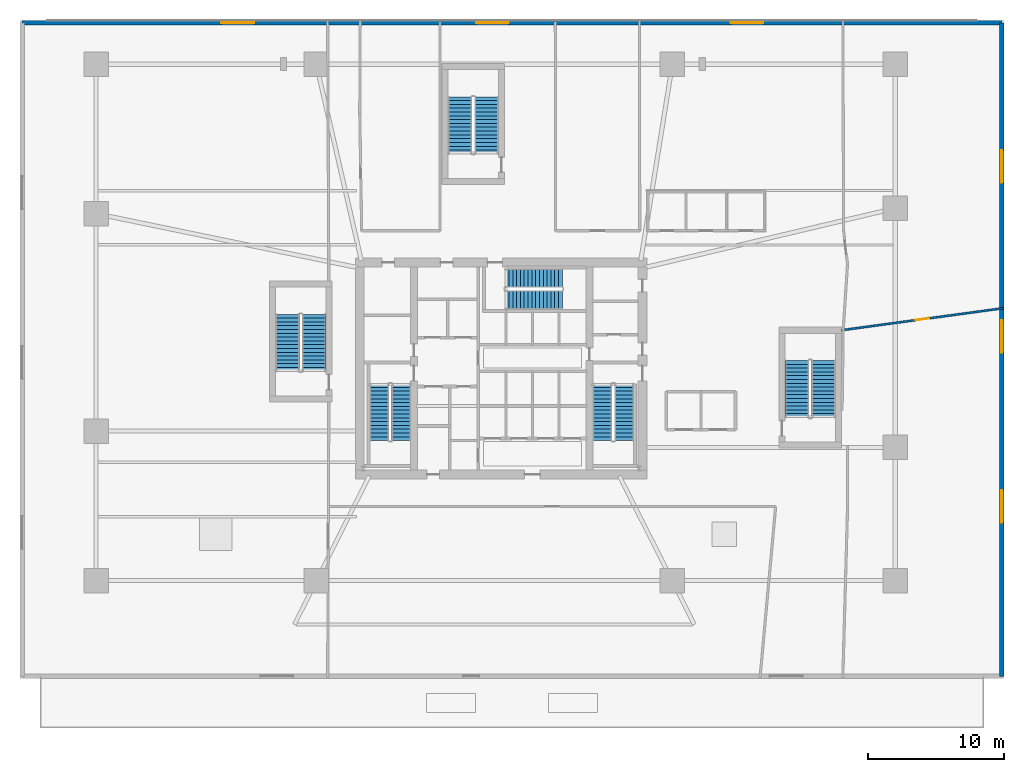
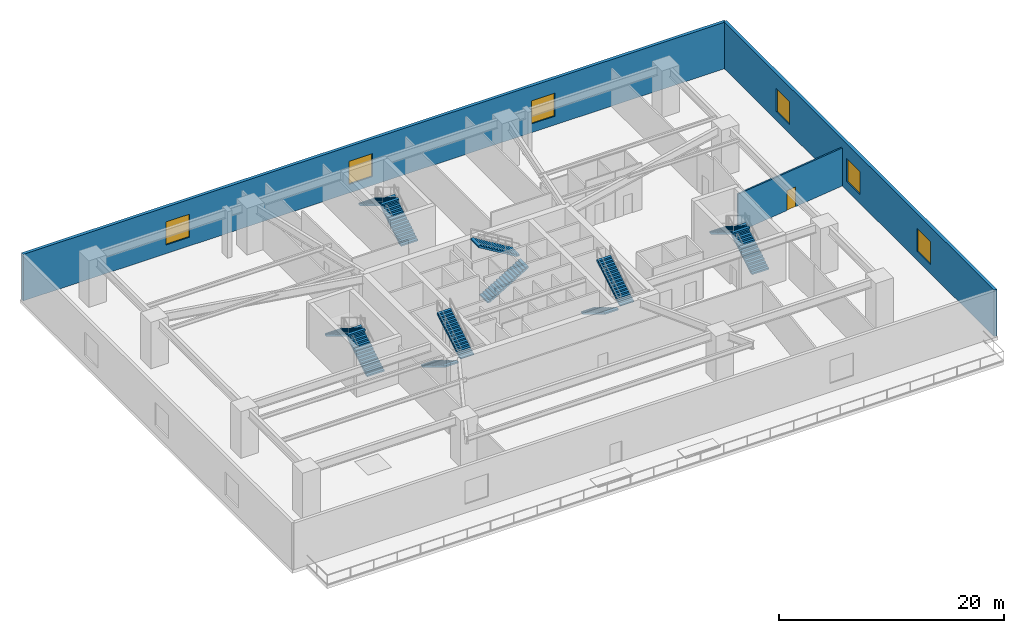
# One storey, part 7 of 11: 12 stair flights, 6 windows, 3 walls, 1 door, 7 openings, 6 elements without a shape of their own.
"""IFC4 building model written with IfcOpenShell, lengths in metres."""

from ifc_helpers import new_model, si_unit, direction, frame, frame_2d, origin, place, context, subcontext, project, spatial, polyline, rectangle, outline, extrude, material, layer, layer_set, type_object, element, fill, aggregate, save


model = new_model("IFC4")

# Units and contexts
model_context = context("Model", 3, precision=1e-05, world=origin(), true_north=direction((0.0, 1.0)))
body_context = subcontext(model_context, "Body", "Model", "MODEL_VIEW")
ifc_project = project(units=[si_unit("LENGTHUNIT", "METRE"), si_unit("AREAUNIT", "SQUARE_METRE"), si_unit("VOLUMEUNIT", "CUBIC_METRE"), si_unit("PLANEANGLEUNIT", "RADIAN"), si_unit("MASSUNIT", "GRAM", prefix="KILO")], contexts=[model_context])

# Site, building, storey
site_placement = place(None, origin())
site = spatial("IfcSite", under=ifc_project, at=site_placement, CompositionType="ELEMENT")
building_placement = place(site_placement, origin())
building = spatial("IfcBuilding", under=site, at=building_placement, Name="Qarnah Convention Tower", CompositionType="ELEMENT")
storey_placement = place(building_placement, frame((0.0, 0.0, 5.39990234375)))
storey = spatial("IfcBuildingStorey", under=building, at=storey_placement, Name="L01", CompositionType="ELEMENT", Elevation=5.39990234375)

# Wall, opening, door
ifc_material_1 = material(Name="Gypsum partition board")
ifc_layer_1 = layer(ifc_material_1, 0.159912109375)
ifc_layer_set_1 = layer_set([ifc_layer_1], Name="Gypsum partition board")
wall_type_1 = type_object("IfcWallType", Name="WL-CORR-160", PredefinedType="PARTITIONING", material=ifc_layer_set_1)
wall_1_placement = place(storey_placement, frame((74.12109375, 30.840087890625, 0.0), z_axis=(0.0, 0.0, 1.0), x_axis=(-0.990872529163, -0.13480219193, 0.0)))
wall_1 = element("IfcWall", 1, at=wall_1_placement, inside=storey, type_object=wall_type_1, Name="L01 interior wall IW-L01-R-15", PredefinedType="PARTITIONING", context=body_context, shape_type="SweptSolid", body=[
    extrude(rectangle(XDim=11.98046875, YDim=0.159912109375, at=frame_2d((5.990234375, 0.0))), origin(), (0.0, 0.0, 1.0), 4.123046875),
])
opening_1_placement = place(wall_1_placement, frame((5.489990234375, 0.0, 0.0)))
opening_1 = element("IfcOpeningElement", 2, at=opening_1_placement, cuts=wall_1, Name="Opening D-0124", PredefinedType="OPENING", context=body_context, shape_type="SweptSolid", body=[
    extrude(rectangle(XDim=1.0, YDim=2.14990234375, at=frame_2d((0.5, 1.074951171875))), frame((0.0, 0.08984375, 0.0), z_axis=(0.0, -1.0, 0.0), x_axis=(1.0, 0.0, 0.0)), (0.0, 0.0, 1.0), 0.179931640625),
])
ifc_material_2 = material(Name="Oak timber veneer", Category="wood")
door_type = type_object("IfcDoorType", Name="DT-OFFICE-1000", OperationType="NOTDEFINED", PredefinedType="DOOR", material=ifc_material_2)
door_placement = place(opening_1_placement, origin())
door = element("IfcDoor", 3, at=door_placement, inside=storey, type_object=door_type, Name="Door D-0124", OperationType="SINGLE_SWING_RIGHT", OverallHeight=2.14990234375, OverallWidth=1.0, PredefinedType="DOOR", context=body_context, shape_type="SweptSolid", body=[
    extrude(rectangle(XDim=1.0, YDim=2.14990234375, at=frame_2d((0.5, 1.074951171875))), frame((0.0, 0.02490234375, 0.0), z_axis=(0.0, -1.0, 0.0), x_axis=(1.0, 0.0, 0.0)), (0.0, 0.0, 1.0), 0.050048828125),
])
fill(opening_1, door)

# Wall, openings, windows
ifc_material_3 = material(Name="Precast concrete C45/55", Category="concrete")
ifc_layer_2 = layer(ifc_material_3, 0.320068359375)
ifc_layer_set_2 = layer_set([ifc_layer_2], Name="Precast concrete C45/55")
wall_type_2 = type_object("IfcWallType", Name="WL-EXT-POD-320", PredefinedType="SOLIDWALL", material=ifc_layer_set_2)
wall_2_placement = place(storey_placement, frame((1.9599609375, 51.840087890625, 0.0), z_axis=(0.0, 0.0, 1.0), x_axis=(1.0, 0.0, 0.0)))
wall_2 = element("IfcWall", 4, at=wall_2_placement, inside=storey, type_object=wall_type_2, Name="L01 precast facade wall N", PredefinedType="SOLIDWALL", context=body_context, shape_type="SweptSolid", body=[
    extrude(rectangle(XDim=72.080078125, YDim=0.320068359375, at=frame_2d((36.0400390625, 0.0))), origin(), (0.0, 0.0, 1.0), 5.050048828125),
])
opening_2_placement = place(wall_2_placement, frame((14.657958984375, 0.0, 0.949951171875)))
opening_2 = element("IfcOpeningElement", 5, at=opening_2_placement, cuts=wall_2, Name="Opening WN1", PredefinedType="OPENING", context=body_context, shape_type="SweptSolid", body=[
    extrude(rectangle(XDim=2.39990234375, YDim=2.5, at=frame_2d((1.199951171875, 1.25))), frame((0.0, 0.169921875, 0.0), z_axis=(0.0, -1.0, 0.0), x_axis=(1.0, 0.0, 0.0)), (0.0, 0.0, 1.0), 0.340087890625),
])
opening_3_placement = place(wall_2_placement, frame((33.39794921875, 0.0, 0.949951171875)))
opening_3 = element("IfcOpeningElement", 6, at=opening_3_placement, cuts=wall_2, Name="Opening WN1", PredefinedType="OPENING", context=body_context, shape_type="SweptSolid", body=[
    extrude(rectangle(XDim=2.39990234375, YDim=2.5, at=frame_2d((1.199951171875, 1.25))), frame((0.0, 0.169921875, 0.0), z_axis=(0.0, -1.0, 0.0), x_axis=(1.0, 0.0, 0.0)), (0.0, 0.0, 1.0), 0.340087890625),
])
opening_4_placement = place(wall_2_placement, frame((52.138916015625, 0.0, 0.949951171875)))
opening_4 = element("IfcOpeningElement", 7, at=opening_4_placement, cuts=wall_2, Name="Opening WN1", PredefinedType="OPENING", context=body_context, shape_type="SweptSolid", body=[
    extrude(rectangle(XDim=2.39990234375, YDim=2.5, at=frame_2d((1.199951171875, 1.25))), frame((0.0, 0.169921875, 0.0), z_axis=(0.0, -1.0, 0.0), x_axis=(1.0, 0.0, 0.0)), (0.0, 0.0, 1.0), 0.340087890625),
])
ifc_material_4 = material(Name="Tempered Low-E dark glass", Category="glass")
window_type = type_object("IfcWindowType", Name="WT-POD-2400X2600", PartitioningType="SINGLE_PANEL", PredefinedType="WINDOW", material=ifc_material_4)
window_1_placement = place(opening_2_placement, origin())
window_1 = element("IfcWindow", 8, at=window_1_placement, inside=storey, type_object=window_type, Name="Window WIN-L01-N1", OverallHeight=2.5, OverallWidth=2.39990234375, PartitioningType="SINGLE_PANEL", PredefinedType="WINDOW", context=body_context, shape_type="SweptSolid", body=[
    extrude(rectangle(XDim=2.39990234375, YDim=2.5, at=frame_2d((1.199951171875, 1.25))), frame((0.0, 0.030029296875, 0.0), z_axis=(0.0, -1.0, 0.0), x_axis=(1.0, 0.0, 0.0)), (0.0, 0.0, 1.0), 0.06005859375),
])
fill(opening_2, window_1)
window_2_placement = place(opening_3_placement, origin())
window_2 = element("IfcWindow", 9, at=window_2_placement, inside=storey, type_object=window_type, Name="Window WIN-L01-N2", OverallHeight=2.5, OverallWidth=2.39990234375, PartitioningType="SINGLE_PANEL", PredefinedType="WINDOW", context=body_context, shape_type="SweptSolid", body=[
    extrude(rectangle(XDim=2.39990234375, YDim=2.5, at=frame_2d((1.199951171875, 1.25))), frame((0.0, 0.030029296875, 0.0), z_axis=(0.0, -1.0, 0.0), x_axis=(1.0, 0.0, 0.0)), (0.0, 0.0, 1.0), 0.06005859375),
])
fill(opening_3, window_2)
window_3_placement = place(opening_4_placement, origin())
window_3 = element("IfcWindow", 10, at=window_3_placement, inside=storey, type_object=window_type, Name="Window WIN-L01-N3", OverallHeight=2.5, OverallWidth=2.39990234375, PartitioningType="SINGLE_PANEL", PredefinedType="WINDOW", context=body_context, shape_type="SweptSolid", body=[
    extrude(rectangle(XDim=2.39990234375, YDim=2.5, at=frame_2d((1.199951171875, 1.25))), frame((0.0, 0.030029296875, 0.0), z_axis=(0.0, -1.0, 0.0), x_axis=(1.0, 0.0, 0.0)), (0.0, 0.0, 1.0), 0.06005859375),
])
fill(opening_4, window_3)

wall_3_placement = place(storey_placement, frame((74.0400390625, 51.840087890625, 0.0), z_axis=(0.0, 0.0, 1.0), x_axis=(0.0, -1.0, 0.0)))
wall_3 = element("IfcWall", 11, at=wall_3_placement, inside=storey, type_object=wall_type_2, Name="L01 precast facade wall E", PredefinedType="SOLIDWALL", context=body_context, shape_type="SweptSolid", body=[
    extrude(rectangle(XDim=48.080078125, YDim=0.320068359375, at=frame_2d((24.0400390625, 0.0))), origin(), (0.0, 0.0, 1.0), 5.050048828125),
])
opening_5_placement = place(wall_3_placement, frame((9.3779296875, 0.0, 0.949951171875)))
opening_5 = element("IfcOpeningElement", 12, at=opening_5_placement, cuts=wall_3, Name="Opening WN1", PredefinedType="OPENING", context=body_context, shape_type="SweptSolid", body=[
    extrude(rectangle(XDim=2.39990234375, YDim=2.5, at=frame_2d((1.199951171875, 1.25))), frame((0.0, 0.169921875, 0.0), z_axis=(0.0, -1.0, 0.0), x_axis=(1.0, 0.0, 0.0)), (0.0, 0.0, 1.0), 0.340087890625),
])
opening_6_placement = place(wall_3_placement, frame((21.8779296875, 0.0, 0.949951171875)))
opening_6 = element("IfcOpeningElement", 13, at=opening_6_placement, cuts=wall_3, Name="Opening WN1", PredefinedType="OPENING", context=body_context, shape_type="SweptSolid", body=[
    extrude(rectangle(XDim=2.39990234375, YDim=2.5, at=frame_2d((1.199951171875, 1.25))), frame((0.0, 0.169921875, 0.0), z_axis=(0.0, -1.0, 0.0), x_axis=(1.0, 0.0, 0.0)), (0.0, 0.0, 1.0), 0.340087890625),
])
opening_7_placement = place(wall_3_placement, frame((34.37890625, 0.0, 0.949951171875)))
opening_7 = element("IfcOpeningElement", 14, at=opening_7_placement, cuts=wall_3, Name="Opening WN1", PredefinedType="OPENING", context=body_context, shape_type="SweptSolid", body=[
    extrude(rectangle(XDim=2.39990234375, YDim=2.5, at=frame_2d((1.199951171875, 1.25))), frame((0.0, 0.169921875, 0.0), z_axis=(0.0, -1.0, 0.0), x_axis=(1.0, 0.0, 0.0)), (0.0, 0.0, 1.0), 0.340087890625),
])
window_4_placement = place(opening_5_placement, origin())
window_4 = element("IfcWindow", 15, at=window_4_placement, inside=storey, type_object=window_type, Name="Window WIN-L01-E1", OverallHeight=2.5, OverallWidth=2.39990234375, PartitioningType="SINGLE_PANEL", PredefinedType="WINDOW", context=body_context, shape_type="SweptSolid", body=[
    extrude(rectangle(XDim=2.39990234375, YDim=2.5, at=frame_2d((1.199951171875, 1.25))), frame((0.0, 0.030029296875, 0.0), z_axis=(0.0, -1.0, 0.0), x_axis=(1.0, 0.0, 0.0)), (0.0, 0.0, 1.0), 0.06005859375),
])
fill(opening_5, window_4)
window_5_placement = place(opening_6_placement, origin())
window_5 = element("IfcWindow", 16, at=window_5_placement, inside=storey, type_object=window_type, Name="Window WIN-L01-E2", OverallHeight=2.5, OverallWidth=2.39990234375, PartitioningType="SINGLE_PANEL", PredefinedType="WINDOW", context=body_context, shape_type="SweptSolid", body=[
    extrude(rectangle(XDim=2.39990234375, YDim=2.5, at=frame_2d((1.199951171875, 1.25))), frame((0.0, 0.030029296875, 0.0), z_axis=(0.0, -1.0, 0.0), x_axis=(1.0, 0.0, 0.0)), (0.0, 0.0, 1.0), 0.06005859375),
])
fill(opening_6, window_5)
window_6_placement = place(opening_7_placement, origin())
window_6 = element("IfcWindow", 17, at=window_6_placement, inside=storey, type_object=window_type, Name="Window WIN-L01-E3", OverallHeight=2.5, OverallWidth=2.39990234375, PartitioningType="SINGLE_PANEL", PredefinedType="WINDOW", context=body_context, shape_type="SweptSolid", body=[
    extrude(rectangle(XDim=2.39990234375, YDim=2.5, at=frame_2d((1.199951171875, 1.25))), frame((0.0, 0.030029296875, 0.0), z_axis=(0.0, -1.0, 0.0), x_axis=(1.0, 0.0, 0.0)), (0.0, 0.0, 1.0), 0.06005859375),
])
fill(opening_7, window_6)

# Stair, stair flights
ifc_material_5 = material(Name="Concrete C50/60", Category="concrete")
stair_type_1 = type_object("IfcStairType", Name="STR-POD", PredefinedType="HALF_TURN_STAIR", material=ifc_material_5)
stair_1_placement = place(storey_placement, origin())
stair_1 = element("IfcStair", 18, at=stair_1_placement, inside=storey, type_object=stair_type_1, Name="L01 Core exit stair ST-1", PredefinedType="HALF_TURN_STAIR")
stair_flight_type_1 = type_object("IfcStairFlightType", Name="FLT-POD", PredefinedType="STRAIGHT", material=ifc_material_5)
stair_flight_1_placement = place(storey_placement, frame((28.25, 25.300048828125, 0.0), z_axis=(0.0, 0.0, 1.0), x_axis=(0.0, -1.0, 0.0)))
stair_flight_1 = element("IfcStairFlight", 19, at=stair_flight_1_placement, type_object=stair_flight_type_1, Name="ST-1 flight 1", NumberOfRisers=16, NumberOfTreads=15, PredefinedType="STRAIGHT", RiserHeight=0.16875, TreadLength=0.28, context=body_context, shape_type="SweptSolid", body=[
    extrude(outline(polyline([(0.0, 0.0), (0.0, 0.168701171875), (0.280029296875, 0.168701171875), (0.280029296875, 0.33740234375), (0.56005859375, 0.33740234375), (0.56005859375, 0.50634765625), (0.840087890625, 0.50634765625), (0.840087890625, 0.675048828125), (1.1201171875, 0.675048828125), (1.1201171875, 0.84375), (1.39990234375, 0.84375), (1.39990234375, 1.012451171875), (1.679931640625, 1.012451171875), (1.679931640625, 1.18115234375), (1.9599609375, 1.18115234375), (1.9599609375, 1.35009765625), (2.239990234375, 1.35009765625), (2.239990234375, 1.518798828125), (2.52001953125, 1.518798828125), (2.52001953125, 1.6875), (2.800048828125, 1.6875), (2.800048828125, 1.856201171875), (3.080078125, 1.856201171875), (3.080078125, 2.02490234375), (3.360107421875, 2.02490234375), (3.360107421875, 2.19384765625), (3.639892578125, 2.19384765625), (3.639892578125, 2.362548828125), (3.919921875, 2.362548828125), (3.919921875, 2.53125), (4.199951171875, 2.53125), (4.199951171875, 2.699951171875), (4.199951171875, 2.356201171875), (0.29052734375, 0.0), (0.0, 0.0)])), frame((0.0, 0.699951171875, 0.0), z_axis=(0.0, -1.0, 0.0), x_axis=(1.0, 0.0, 0.0)), (0.0, 0.0, 1.0), 1.39990234375),
])
stair_flight_2_placement = place(storey_placement, frame((29.85009765625, 21.10009765625, 2.7001953125), z_axis=(0.0, 0.0, 1.0), x_axis=(0.0, 1.0, 0.0)))
stair_flight_2 = element("IfcStairFlight", 20, at=stair_flight_2_placement, type_object=stair_flight_type_1, Name="ST-1 flight 2", NumberOfRisers=16, NumberOfTreads=15, PredefinedType="STRAIGHT", RiserHeight=0.16875, TreadLength=0.28, context=body_context, shape_type="SweptSolid", body=[
    extrude(outline(polyline([(0.0, 0.0), (0.0, 0.168701171875), (0.280029296875, 0.168701171875), (0.280029296875, 0.33740234375), (0.56005859375, 0.33740234375), (0.56005859375, 0.50634765625), (0.840087890625, 0.50634765625), (0.840087890625, 0.675048828125), (1.1201171875, 0.675048828125), (1.1201171875, 0.84375), (1.39990234375, 0.84375), (1.39990234375, 1.012451171875), (1.679931640625, 1.012451171875), (1.679931640625, 1.18115234375), (1.9599609375, 1.18115234375), (1.9599609375, 1.35009765625), (2.239990234375, 1.35009765625), (2.239990234375, 1.518798828125), (2.52001953125, 1.518798828125), (2.52001953125, 1.6875), (2.800048828125, 1.6875), (2.800048828125, 1.856201171875), (3.080078125, 1.856201171875), (3.080078125, 2.02490234375), (3.360107421875, 2.02490234375), (3.360107421875, 2.19384765625), (3.639892578125, 2.19384765625), (3.639892578125, 2.362548828125), (3.919921875, 2.362548828125), (3.919921875, 2.53125), (4.199951171875, 2.53125), (4.199951171875, 2.699951171875), (4.199951171875, 2.356201171875), (0.29052734375, 0.0), (0.0, 0.0)])), frame((0.0, 0.699951171875, 0.0), z_axis=(0.0, -1.0, 0.0), x_axis=(1.0, 0.0, 0.0)), (0.0, 0.0, 1.0), 1.39990234375),
])
aggregate(stair_1, [stair_flight_1, stair_flight_2])

stair_2_placement = place(storey_placement, origin())
stair_2 = element("IfcStair", 21, at=stair_2_placement, inside=storey, type_object=stair_type_1, Name="L01 Core exit stair ST-2", PredefinedType="HALF_TURN_STAIR")
stair_flight_3_placement = place(storey_placement, frame((44.64990234375, 25.300048828125, 0.0), z_axis=(0.0, 0.0, 1.0), x_axis=(0.0, -1.0, 0.0)))
stair_flight_3 = element("IfcStairFlight", 22, at=stair_flight_3_placement, type_object=stair_flight_type_1, Name="ST-2 flight 1", NumberOfRisers=16, NumberOfTreads=15, PredefinedType="STRAIGHT", RiserHeight=0.16875, TreadLength=0.28, context=body_context, shape_type="SweptSolid", body=[
    extrude(outline(polyline([(0.0, 0.0), (0.0, 0.168701171875), (0.280029296875, 0.168701171875), (0.280029296875, 0.33740234375), (0.56005859375, 0.33740234375), (0.56005859375, 0.50634765625), (0.840087890625, 0.50634765625), (0.840087890625, 0.675048828125), (1.1201171875, 0.675048828125), (1.1201171875, 0.84375), (1.39990234375, 0.84375), (1.39990234375, 1.012451171875), (1.679931640625, 1.012451171875), (1.679931640625, 1.18115234375), (1.9599609375, 1.18115234375), (1.9599609375, 1.35009765625), (2.239990234375, 1.35009765625), (2.239990234375, 1.518798828125), (2.52001953125, 1.518798828125), (2.52001953125, 1.6875), (2.800048828125, 1.6875), (2.800048828125, 1.856201171875), (3.080078125, 1.856201171875), (3.080078125, 2.02490234375), (3.360107421875, 2.02490234375), (3.360107421875, 2.19384765625), (3.639892578125, 2.19384765625), (3.639892578125, 2.362548828125), (3.919921875, 2.362548828125), (3.919921875, 2.53125), (4.199951171875, 2.53125), (4.199951171875, 2.699951171875), (4.199951171875, 2.356201171875), (0.29052734375, 0.0), (0.0, 0.0)])), frame((0.0, 0.699951171875, 0.0), z_axis=(0.0, -1.0, 0.0), x_axis=(1.0, 0.0, 0.0)), (0.0, 0.0, 1.0), 1.39990234375),
])
stair_flight_4_placement = place(storey_placement, frame((46.25, 21.10009765625, 2.7001953125), z_axis=(0.0, 0.0, 1.0), x_axis=(0.0, 1.0, 0.0)))
stair_flight_4 = element("IfcStairFlight", 23, at=stair_flight_4_placement, type_object=stair_flight_type_1, Name="ST-2 flight 2", NumberOfRisers=16, NumberOfTreads=15, PredefinedType="STRAIGHT", RiserHeight=0.16875, TreadLength=0.28, context=body_context, shape_type="SweptSolid", body=[
    extrude(outline(polyline([(0.0, 0.0), (0.0, 0.168701171875), (0.280029296875, 0.168701171875), (0.280029296875, 0.33740234375), (0.56005859375, 0.33740234375), (0.56005859375, 0.50634765625), (0.840087890625, 0.50634765625), (0.840087890625, 0.675048828125), (1.1201171875, 0.675048828125), (1.1201171875, 0.84375), (1.39990234375, 0.84375), (1.39990234375, 1.012451171875), (1.679931640625, 1.012451171875), (1.679931640625, 1.18115234375), (1.9599609375, 1.18115234375), (1.9599609375, 1.35009765625), (2.239990234375, 1.35009765625), (2.239990234375, 1.518798828125), (2.52001953125, 1.518798828125), (2.52001953125, 1.6875), (2.800048828125, 1.6875), (2.800048828125, 1.856201171875), (3.080078125, 1.856201171875), (3.080078125, 2.02490234375), (3.360107421875, 2.02490234375), (3.360107421875, 2.19384765625), (3.639892578125, 2.19384765625), (3.639892578125, 2.362548828125), (3.919921875, 2.362548828125), (3.919921875, 2.53125), (4.199951171875, 2.53125), (4.199951171875, 2.699951171875), (4.199951171875, 2.356201171875), (0.29052734375, 0.0), (0.0, 0.0)])), frame((0.0, 0.699951171875, 0.0), z_axis=(0.0, -1.0, 0.0), x_axis=(1.0, 0.0, 0.0)), (0.0, 0.0, 1.0), 1.39990234375),
])
aggregate(stair_2, [stair_flight_3, stair_flight_4])

stair_3_placement = place(storey_placement, origin())
stair_3 = element("IfcStair", 24, at=stair_3_placement, inside=storey, type_object=stair_type_1, Name="L01 Core exit stair ST-3", PredefinedType="HALF_TURN_STAIR")
stair_flight_5_placement = place(storey_placement, frame((37.5, 31.449951171875, 0.0), z_axis=(0.0, 0.0, 1.0), x_axis=(1.0, 0.0, 0.0)))
stair_flight_5 = element("IfcStairFlight", 25, at=stair_flight_5_placement, type_object=stair_flight_type_1, Name="ST-3 flight 1", NumberOfRisers=16, NumberOfTreads=15, PredefinedType="STRAIGHT", RiserHeight=0.16875, TreadLength=0.28, context=body_context, shape_type="SweptSolid", body=[
    extrude(outline(polyline([(0.0, 0.0), (0.0, 0.168701171875), (0.280029296875, 0.168701171875), (0.280029296875, 0.33740234375), (0.56005859375, 0.33740234375), (0.56005859375, 0.50634765625), (0.840087890625, 0.50634765625), (0.840087890625, 0.675048828125), (1.1201171875, 0.675048828125), (1.1201171875, 0.84375), (1.39990234375, 0.84375), (1.39990234375, 1.012451171875), (1.679931640625, 1.012451171875), (1.679931640625, 1.18115234375), (1.9599609375, 1.18115234375), (1.9599609375, 1.35009765625), (2.239990234375, 1.35009765625), (2.239990234375, 1.518798828125), (2.52001953125, 1.518798828125), (2.52001953125, 1.6875), (2.800048828125, 1.6875), (2.800048828125, 1.856201171875), (3.080078125, 1.856201171875), (3.080078125, 2.02490234375), (3.360107421875, 2.02490234375), (3.360107421875, 2.19384765625), (3.639892578125, 2.19384765625), (3.639892578125, 2.362548828125), (3.919921875, 2.362548828125), (3.919921875, 2.53125), (4.199951171875, 2.53125), (4.199951171875, 2.699951171875), (4.199951171875, 2.356201171875), (0.29052734375, 0.0), (0.0, 0.0)])), frame((0.0, 0.699951171875, 0.0), z_axis=(0.0, -1.0, 0.0), x_axis=(1.0, 0.0, 0.0)), (0.0, 0.0, 1.0), 1.39990234375),
])
stair_flight_6_placement = place(storey_placement, frame((41.699951171875, 33.050048828125, 2.7001953125), z_axis=(0.0, 0.0, 1.0), x_axis=(-1.0, 0.0, 0.0)))
stair_flight_6 = element("IfcStairFlight", 26, at=stair_flight_6_placement, type_object=stair_flight_type_1, Name="ST-3 flight 2", NumberOfRisers=16, NumberOfTreads=15, PredefinedType="STRAIGHT", RiserHeight=0.16875, TreadLength=0.28, context=body_context, shape_type="SweptSolid", body=[
    extrude(outline(polyline([(0.0, 0.0), (0.0, 0.168701171875), (0.280029296875, 0.168701171875), (0.280029296875, 0.33740234375), (0.56005859375, 0.33740234375), (0.56005859375, 0.50634765625), (0.840087890625, 0.50634765625), (0.840087890625, 0.675048828125), (1.1201171875, 0.675048828125), (1.1201171875, 0.84375), (1.39990234375, 0.84375), (1.39990234375, 1.012451171875), (1.679931640625, 1.012451171875), (1.679931640625, 1.18115234375), (1.9599609375, 1.18115234375), (1.9599609375, 1.35009765625), (2.239990234375, 1.35009765625), (2.239990234375, 1.518798828125), (2.52001953125, 1.518798828125), (2.52001953125, 1.6875), (2.800048828125, 1.6875), (2.800048828125, 1.856201171875), (3.080078125, 1.856201171875), (3.080078125, 2.02490234375), (3.360107421875, 2.02490234375), (3.360107421875, 2.19384765625), (3.639892578125, 2.19384765625), (3.639892578125, 2.362548828125), (3.919921875, 2.362548828125), (3.919921875, 2.53125), (4.199951171875, 2.53125), (4.199951171875, 2.699951171875), (4.199951171875, 2.356201171875), (0.29052734375, 0.0), (0.0, 0.0)])), frame((0.0, 0.699951171875, 0.0), z_axis=(0.0, -1.0, 0.0), x_axis=(1.0, 0.0, 0.0)), (0.0, 0.0, 1.0), 1.39990234375),
])
aggregate(stair_3, [stair_flight_5, stair_flight_6])

stair_type_2 = type_object("IfcStairType", Name="STR-PODW", PredefinedType="HALF_TURN_STAIR", material=ifc_material_5)
stair_4_placement = place(storey_placement, origin())
stair_4 = element("IfcStair", 27, at=stair_4_placement, inside=storey, type_object=stair_type_2, Name="L01 Podium east convention exit stair ST-4", PredefinedType="HALF_TURN_STAIR")
stair_flight_type_2 = type_object("IfcStairFlightType", Name="FLT-PODW", PredefinedType="STRAIGHT", material=ifc_material_5)
stair_flight_7_placement = place(storey_placement, frame((60.925048828125, 22.800048828125, 0.0), z_axis=(0.0, 0.0, 1.0), x_axis=(0.0, 1.0, 0.0)))
stair_flight_7 = element("IfcStairFlight", 28, at=stair_flight_7_placement, type_object=stair_flight_type_2, Name="ST-4 flight 1", NumberOfRisers=16, NumberOfTreads=15, PredefinedType="STRAIGHT", RiserHeight=0.16875, TreadLength=0.28, context=body_context, shape_type="SweptSolid", body=[
    extrude(outline(polyline([(0.0, 0.0), (0.0, 0.168701171875), (0.280029296875, 0.168701171875), (0.280029296875, 0.33740234375), (0.56005859375, 0.33740234375), (0.56005859375, 0.50634765625), (0.840087890625, 0.50634765625), (0.840087890625, 0.675048828125), (1.1201171875, 0.675048828125), (1.1201171875, 0.84375), (1.39990234375, 0.84375), (1.39990234375, 1.012451171875), (1.679931640625, 1.012451171875), (1.679931640625, 1.18115234375), (1.9599609375, 1.18115234375), (1.9599609375, 1.35009765625), (2.239990234375, 1.35009765625), (2.239990234375, 1.518798828125), (2.52001953125, 1.518798828125), (2.52001953125, 1.6875), (2.800048828125, 1.6875), (2.800048828125, 1.856201171875), (3.080078125, 1.856201171875), (3.080078125, 2.02490234375), (3.360107421875, 2.02490234375), (3.360107421875, 2.19384765625), (3.639892578125, 2.19384765625), (3.639892578125, 2.362548828125), (3.919921875, 2.362548828125), (3.919921875, 2.53125), (4.199951171875, 2.53125), (4.199951171875, 2.699951171875), (4.199951171875, 2.356201171875), (0.29052734375, 0.0), (0.0, 0.0)])), frame((0.0, 0.875, 0.0), z_axis=(0.0, -1.0, 0.0), x_axis=(1.0, 0.0, 0.0)), (0.0, 0.0, 1.0), 1.75),
])
stair_flight_8_placement = place(storey_placement, frame((58.97509765625, 27.0, 2.7001953125), z_axis=(0.0, 0.0, 1.0), x_axis=(0.0, -1.0, 0.0)))
stair_flight_8 = element("IfcStairFlight", 29, at=stair_flight_8_placement, type_object=stair_flight_type_2, Name="ST-4 flight 2", NumberOfRisers=16, NumberOfTreads=15, PredefinedType="STRAIGHT", RiserHeight=0.16875, TreadLength=0.28, context=body_context, shape_type="SweptSolid", body=[
    extrude(outline(polyline([(0.0, 0.0), (0.0, 0.168701171875), (0.280029296875, 0.168701171875), (0.280029296875, 0.33740234375), (0.56005859375, 0.33740234375), (0.56005859375, 0.50634765625), (0.840087890625, 0.50634765625), (0.840087890625, 0.675048828125), (1.1201171875, 0.675048828125), (1.1201171875, 0.84375), (1.39990234375, 0.84375), (1.39990234375, 1.012451171875), (1.679931640625, 1.012451171875), (1.679931640625, 1.18115234375), (1.9599609375, 1.18115234375), (1.9599609375, 1.35009765625), (2.239990234375, 1.35009765625), (2.239990234375, 1.518798828125), (2.52001953125, 1.518798828125), (2.52001953125, 1.6875), (2.800048828125, 1.6875), (2.800048828125, 1.856201171875), (3.080078125, 1.856201171875), (3.080078125, 2.02490234375), (3.360107421875, 2.02490234375), (3.360107421875, 2.19384765625), (3.639892578125, 2.19384765625), (3.639892578125, 2.362548828125), (3.919921875, 2.362548828125), (3.919921875, 2.53125), (4.199951171875, 2.53125), (4.199951171875, 2.699951171875), (4.199951171875, 2.356201171875), (0.29052734375, 0.0), (0.0, 0.0)])), frame((0.0, 0.875, 0.0), z_axis=(0.0, -1.0, 0.0), x_axis=(1.0, 0.0, 0.0)), (0.0, 0.0, 1.0), 1.75),
])
aggregate(stair_4, [stair_flight_7, stair_flight_8])

stair_5_placement = place(storey_placement, origin())
stair_5 = element("IfcStair", 30, at=stair_5_placement, inside=storey, type_object=stair_type_2, Name="L01 Podium west exhibition exit stair ST-5", PredefinedType="HALF_TURN_STAIR")
stair_flight_9_placement = place(storey_placement, frame((23.425048828125, 26.199951171875, 0.0), z_axis=(0.0, 0.0, 1.0), x_axis=(0.0, 1.0, 0.0)))
stair_flight_9 = element("IfcStairFlight", 31, at=stair_flight_9_placement, type_object=stair_flight_type_2, Name="ST-5 flight 1", NumberOfRisers=16, NumberOfTreads=15, PredefinedType="STRAIGHT", RiserHeight=0.16875, TreadLength=0.28, context=body_context, shape_type="SweptSolid", body=[
    extrude(outline(polyline([(0.0, 0.0), (0.0, 0.168701171875), (0.280029296875, 0.168701171875), (0.280029296875, 0.33740234375), (0.56005859375, 0.33740234375), (0.56005859375, 0.50634765625), (0.840087890625, 0.50634765625), (0.840087890625, 0.675048828125), (1.1201171875, 0.675048828125), (1.1201171875, 0.84375), (1.39990234375, 0.84375), (1.39990234375, 1.012451171875), (1.679931640625, 1.012451171875), (1.679931640625, 1.18115234375), (1.9599609375, 1.18115234375), (1.9599609375, 1.35009765625), (2.239990234375, 1.35009765625), (2.239990234375, 1.518798828125), (2.52001953125, 1.518798828125), (2.52001953125, 1.6875), (2.800048828125, 1.6875), (2.800048828125, 1.856201171875), (3.080078125, 1.856201171875), (3.080078125, 2.02490234375), (3.360107421875, 2.02490234375), (3.360107421875, 2.19384765625), (3.639892578125, 2.19384765625), (3.639892578125, 2.362548828125), (3.919921875, 2.362548828125), (3.919921875, 2.53125), (4.199951171875, 2.53125), (4.199951171875, 2.699951171875), (4.199951171875, 2.356201171875), (0.29052734375, 0.0), (0.0, 0.0)])), frame((0.0, 0.875, 0.0), z_axis=(0.0, -1.0, 0.0), x_axis=(1.0, 0.0, 0.0)), (0.0, 0.0, 1.0), 1.75),
])
stair_flight_10_placement = place(storey_placement, frame((21.47509765625, 30.39990234375, 2.7001953125), z_axis=(0.0, 0.0, 1.0), x_axis=(0.0, -1.0, 0.0)))
stair_flight_10 = element("IfcStairFlight", 32, at=stair_flight_10_placement, type_object=stair_flight_type_2, Name="ST-5 flight 2", NumberOfRisers=16, NumberOfTreads=15, PredefinedType="STRAIGHT", RiserHeight=0.16875, TreadLength=0.28, context=body_context, shape_type="SweptSolid", body=[
    extrude(outline(polyline([(0.0, 0.0), (0.0, 0.168701171875), (0.280029296875, 0.168701171875), (0.280029296875, 0.33740234375), (0.56005859375, 0.33740234375), (0.56005859375, 0.50634765625), (0.840087890625, 0.50634765625), (0.840087890625, 0.675048828125), (1.1201171875, 0.675048828125), (1.1201171875, 0.84375), (1.39990234375, 0.84375), (1.39990234375, 1.012451171875), (1.679931640625, 1.012451171875), (1.679931640625, 1.18115234375), (1.9599609375, 1.18115234375), (1.9599609375, 1.35009765625), (2.239990234375, 1.35009765625), (2.239990234375, 1.518798828125), (2.52001953125, 1.518798828125), (2.52001953125, 1.6875), (2.800048828125, 1.6875), (2.800048828125, 1.856201171875), (3.080078125, 1.856201171875), (3.080078125, 2.02490234375), (3.360107421875, 2.02490234375), (3.360107421875, 2.19384765625), (3.639892578125, 2.19384765625), (3.639892578125, 2.362548828125), (3.919921875, 2.362548828125), (3.919921875, 2.53125), (4.199951171875, 2.53125), (4.199951171875, 2.699951171875), (4.199951171875, 2.356201171875), (0.29052734375, 0.0), (0.0, 0.0)])), frame((0.0, 0.875, 0.0), z_axis=(0.0, -1.0, 0.0), x_axis=(1.0, 0.0, 0.0)), (0.0, 0.0, 1.0), 1.75),
])
aggregate(stair_5, [stair_flight_9, stair_flight_10])

stair_6_placement = place(storey_placement, origin())
stair_6 = element("IfcStair", 33, at=stair_6_placement, inside=storey, type_object=stair_type_2, Name="L01 Podium north ballroom exit stair ST-6", PredefinedType="HALF_TURN_STAIR")
stair_flight_11_placement = place(storey_placement, frame((36.125, 42.199951171875, 0.0), z_axis=(0.0, 0.0, 1.0), x_axis=(0.0, 1.0, 0.0)))
stair_flight_11 = element("IfcStairFlight", 34, at=stair_flight_11_placement, type_object=stair_flight_type_2, Name="ST-6 flight 1", NumberOfRisers=16, NumberOfTreads=15, PredefinedType="STRAIGHT", RiserHeight=0.16875, TreadLength=0.28, context=body_context, shape_type="SweptSolid", body=[
    extrude(outline(polyline([(0.0, 0.0), (0.0, 0.168701171875), (0.280029296875, 0.168701171875), (0.280029296875, 0.33740234375), (0.56005859375, 0.33740234375), (0.56005859375, 0.50634765625), (0.840087890625, 0.50634765625), (0.840087890625, 0.675048828125), (1.1201171875, 0.675048828125), (1.1201171875, 0.84375), (1.39990234375, 0.84375), (1.39990234375, 1.012451171875), (1.679931640625, 1.012451171875), (1.679931640625, 1.18115234375), (1.9599609375, 1.18115234375), (1.9599609375, 1.35009765625), (2.239990234375, 1.35009765625), (2.239990234375, 1.518798828125), (2.52001953125, 1.518798828125), (2.52001953125, 1.6875), (2.800048828125, 1.6875), (2.800048828125, 1.856201171875), (3.080078125, 1.856201171875), (3.080078125, 2.02490234375), (3.360107421875, 2.02490234375), (3.360107421875, 2.19384765625), (3.639892578125, 2.19384765625), (3.639892578125, 2.362548828125), (3.919921875, 2.362548828125), (3.919921875, 2.53125), (4.199951171875, 2.53125), (4.199951171875, 2.699951171875), (4.199951171875, 2.356201171875), (0.29052734375, 0.0), (0.0, 0.0)])), frame((0.0, 0.875, 0.0), z_axis=(0.0, -1.0, 0.0), x_axis=(1.0, 0.0, 0.0)), (0.0, 0.0, 1.0), 1.75),
])
stair_flight_12_placement = place(storey_placement, frame((34.175048828125, 46.39990234375, 2.7001953125), z_axis=(0.0, 0.0, 1.0), x_axis=(0.0, -1.0, 0.0)))
stair_flight_12 = element("IfcStairFlight", 35, at=stair_flight_12_placement, type_object=stair_flight_type_2, Name="ST-6 flight 2", NumberOfRisers=16, NumberOfTreads=15, PredefinedType="STRAIGHT", RiserHeight=0.16875, TreadLength=0.28, context=body_context, shape_type="SweptSolid", body=[
    extrude(outline(polyline([(0.0, 0.0), (0.0, 0.168701171875), (0.280029296875, 0.168701171875), (0.280029296875, 0.33740234375), (0.56005859375, 0.33740234375), (0.56005859375, 0.50634765625), (0.840087890625, 0.50634765625), (0.840087890625, 0.675048828125), (1.1201171875, 0.675048828125), (1.1201171875, 0.84375), (1.39990234375, 0.84375), (1.39990234375, 1.012451171875), (1.679931640625, 1.012451171875), (1.679931640625, 1.18115234375), (1.9599609375, 1.18115234375), (1.9599609375, 1.35009765625), (2.239990234375, 1.35009765625), (2.239990234375, 1.518798828125), (2.52001953125, 1.518798828125), (2.52001953125, 1.6875), (2.800048828125, 1.6875), (2.800048828125, 1.856201171875), (3.080078125, 1.856201171875), (3.080078125, 2.02490234375), (3.360107421875, 2.02490234375), (3.360107421875, 2.19384765625), (3.639892578125, 2.19384765625), (3.639892578125, 2.362548828125), (3.919921875, 2.362548828125), (3.919921875, 2.53125), (4.199951171875, 2.53125), (4.199951171875, 2.699951171875), (4.199951171875, 2.356201171875), (0.29052734375, 0.0), (0.0, 0.0)])), frame((0.0, 0.875, 0.0), z_axis=(0.0, -1.0, 0.0), x_axis=(1.0, 0.0, 0.0)), (0.0, 0.0, 1.0), 1.75),
])
aggregate(stair_6, [stair_flight_11, stair_flight_12])

save(model, "model.ifc")
